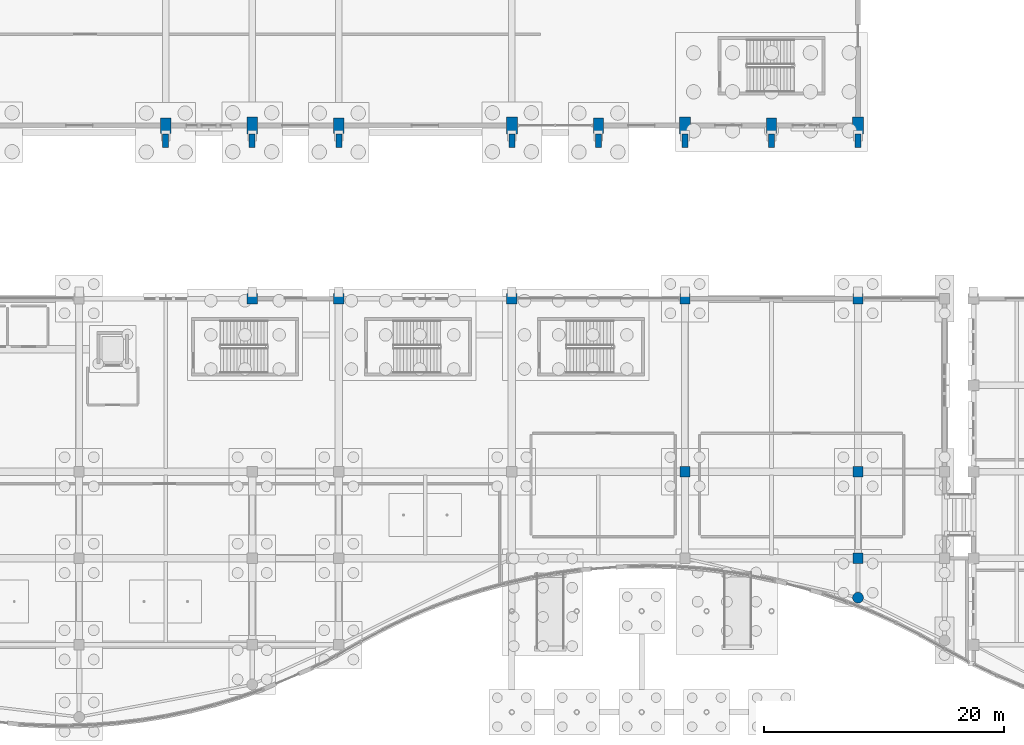
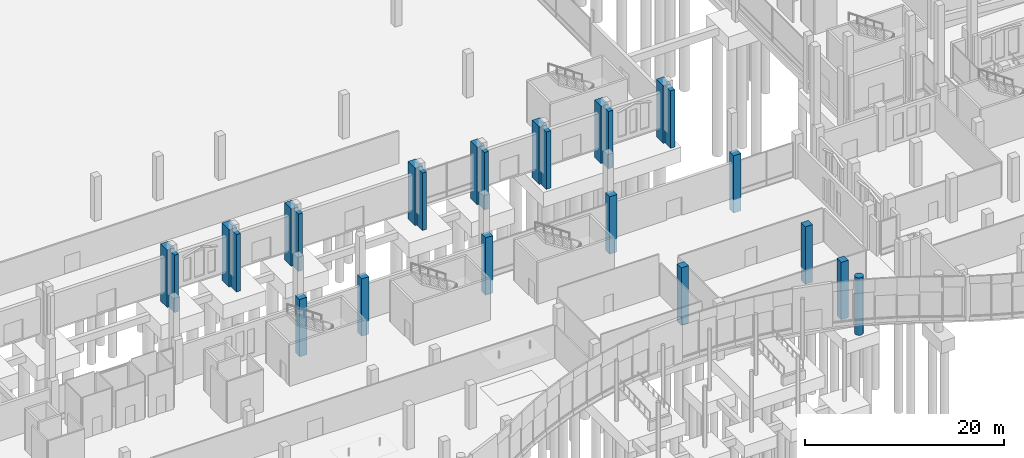
# One storey, part 10 of 192: 25 columns.
"""IFC4 building model written with IfcOpenShell, lengths in metres."""

from ifc_helpers import new_model, si_unit, direction, frame, origin, origin_2d, place, context, subcontext, project, spatial, rectangle, circle, extrude, material, material_profile, profile_set, type_object, element, save


model = new_model("IFC4")

# Units and contexts
model_context = context("Model", 3, precision=1e-05, world=origin(), true_north=direction((0.0, 1.0)))
body_context = subcontext(model_context, "Body", "Model", "MODEL_VIEW")
ifc_project = project(units=[si_unit("LENGTHUNIT", "METRE"), si_unit("AREAUNIT", "SQUARE_METRE"), si_unit("VOLUMEUNIT", "CUBIC_METRE"), si_unit("PLANEANGLEUNIT", "RADIAN"), si_unit("MASSUNIT", "GRAM", prefix="KILO")], contexts=[model_context])

# Site, building, storey
site_placement = place(None, origin())
site = spatial("IfcSite", under=ifc_project, at=site_placement, CompositionType="ELEMENT")
building_placement = place(site_placement, origin())
building = spatial("IfcBuilding", under=site, at=building_placement, Name="Cendralis Lancet Convention Centre", CompositionType="ELEMENT")
storey_placement = place(building_placement, origin())
storey = spatial("IfcBuildingStorey", under=building, at=storey_placement, Name="L00", CompositionType="ELEMENT", Elevation=0.0)

# Columns
ifc_material = material(Name="Concrete G40 (C40/50)", Category="concrete")
ifc_material_profile_1 = material_profile(ifc_material, rectangle(XDim=0.85009765625, YDim=0.85009765625, at=origin_2d()), Name="RC 850x850")
ifc_profile_set_1 = profile_set([ifc_material_profile_1], Name="Concrete G40 (C40/50)")
column_type_1 = type_object("IfcColumnType", Name="STR-COL-C04", PredefinedType="COLUMN", material=ifc_profile_set_1)
for number, where, z_axis, x_axis, name in (
    (1, (72.0, 36.0, -1.64990234375), (0.0, 0.0, 1.0), (1.0, 0.0, 0.0), "L00 Column C04 at 72.0,36.0"),
    (2, (79.199951171875, 36.0, -1.64990234375), (0.0, 0.0, 1.0), (1.0, 0.0, 0.0), "L00 Column C04 at 79.2,36.0"),
    (3, (93.60009765625, 36.0, -1.64990234375), (0.0, 0.0, 1.0), (1.0, 0.0, 0.0), "L00 Column C04 at 93.6,36.0"),
    (4, (108.0, 36.0, -1.64990234375), (0.0, 0.0, 1.0), (1.0, 0.0, 0.0), "L00 Column C04 at 108.0,36.0"),
    (5, (122.39990234375, 36.0, -1.64990234375), (0.0, 0.0, 1.0), (1.0, 0.0, 0.0), "L00 Column C04 at 122.4,36.0"),
):
    element("IfcColumn", number, at=place(storey_placement, frame(where, z_axis=z_axis, x_axis=x_axis)), inside=storey, type_object=column_type_1, Name=name, PredefinedType="COLUMN", context=body_context, shape_type="SweptSolid", body=[
        extrude(rectangle(XDim=0.85009765625, YDim=0.85009765625, at=origin_2d()), origin(), (0.0, 0.0, 1.0), 7.0498046875),
    ])
ifc_material_profile_2 = material_profile(ifc_material, rectangle(XDim=0.85009765625, YDim=0.85009765625, at=origin_2d()), Name="RC 850x850")
ifc_profile_set_2 = profile_set([ifc_material_profile_2], Name="Concrete G40 (C40/50)")
column_type_2 = type_object("IfcColumnType", Name="STR-COL-C04-INT", PredefinedType="COLUMN", material=ifc_profile_set_2)
for number, where, z_axis, x_axis, name in (
    (6, (108.0, 21.60009765625, -1.64990234375), (0.0, 0.0, 1.0), (1.0, 0.0, 0.0), "L00 Column C04 at 108.0,21.6"),
    (7, (122.39990234375, 14.39990234375, -1.64990234375), (0.0, 0.0, 1.0), (1.0, 0.0, 0.0), "L00 Column C04 at 122.4,14.4"),
    (8, (122.39990234375, 21.60009765625, -1.64990234375), (0.0, 0.0, 1.0), (1.0, 0.0, 0.0), "L00 Column C04 at 122.4,21.6"),
):
    element("IfcColumn", number, at=place(storey_placement, frame(where, z_axis=z_axis, x_axis=x_axis)), inside=storey, type_object=column_type_2, Name=name, PredefinedType="COLUMN", context=body_context, shape_type="SweptSolid", body=[
        extrude(rectangle(XDim=0.85009765625, YDim=0.85009765625, at=origin_2d()), origin(), (0.0, 0.0, 1.0), 7.0498046875),
    ])
ifc_material_profile_3 = material_profile(ifc_material, rectangle(XDim=0.89990234375, YDim=1.39990234375, at=origin_2d()), Name="RC 900x1400")
ifc_profile_set_3 = profile_set([ifc_material_profile_3], Name="Concrete G40 (C40/50)")
column_type_3 = type_object("IfcColumnType", Name="STR-COL-C13", PredefinedType="COLUMN", material=ifc_profile_set_3)
for number, where, z_axis, x_axis, name in (
    (9, (72.0, 50.39990234375, -1.64990234375), (0.0, 0.0, 1.0), (1.0, 0.0, 0.0), "L00 Column C13 at 72.0,50.4"),
    (10, (93.60009765625, 50.39990234375, -1.64990234375), (0.0, 0.0, 1.0), (1.0, 0.0, 0.0), "L00 Column C13 at 93.6,50.4"),
    (11, (108.0, 50.39990234375, -1.64990234375), (0.0, 0.0, 1.0), (1.0, 0.0, 0.0), "L00 Column C13 at 108.0,50.4"),
    (12, (122.39990234375, 50.39990234375, -1.64990234375), (0.0, 0.0, 1.0), (1.0, 0.0, 0.0), "L00 Column C13 at 122.4,50.4"),
):
    element("IfcColumn", number, at=place(storey_placement, frame(where, z_axis=z_axis, x_axis=x_axis)), inside=storey, type_object=column_type_3, Name=name, PredefinedType="COLUMN", context=body_context, shape_type="SweptSolid", body=[
        extrude(rectangle(XDim=0.89990234375, YDim=1.39990234375, at=origin_2d()), origin(), (0.0, 0.0, 1.0), 7.0498046875),
    ])
ifc_material_profile_4 = material_profile(ifc_material, rectangle(XDim=0.85009765625, YDim=1.300048828125, at=origin_2d()), Name="RC 850x1300")
ifc_profile_set_4 = profile_set([ifc_material_profile_4], Name="Concrete G40 (C40/50)")
column_type_4 = type_object("IfcColumnType", Name="STR-COL-C14", PredefinedType="COLUMN", material=ifc_profile_set_4)
for number, where, z_axis, x_axis, name in (
    (13, (64.800048828125, 50.39990234375, -1.64990234375), (0.0, 0.0, 1.0), (1.0, 0.0, 0.0), "L00 Column C14 at 64.8,50.4"),
    (14, (79.199951171875, 50.39990234375, -1.64990234375), (0.0, 0.0, 1.0), (1.0, 0.0, 0.0), "L00 Column C14 at 79.2,50.4"),
    (15, (100.800048828125, 50.39990234375, -1.64990234375), (0.0, 0.0, 1.0), (1.0, 0.0, 0.0), "L00 Column C14 at 100.8,50.4"),
    (16, (115.199951171875, 50.39990234375, -1.64990234375), (0.0, 0.0, 1.0), (1.0, 0.0, 0.0), "L00 Column C14 at 115.2,50.4"),
):
    element("IfcColumn", number, at=place(storey_placement, frame(where, z_axis=z_axis, x_axis=x_axis)), inside=storey, type_object=column_type_4, Name=name, PredefinedType="COLUMN", context=body_context, shape_type="SweptSolid", body=[
        extrude(rectangle(XDim=0.85009765625, YDim=1.300048828125, at=origin_2d()), origin(), (0.0, 0.0, 1.0), 7.0498046875),
    ])
ifc_material_profile_5 = material_profile(ifc_material, circle(Radius=0.449951171875, at=origin_2d()), Name="RC D900")
ifc_profile_set_5 = profile_set([ifc_material_profile_5], Name="Concrete G40 (C40/50)")
column_type_5 = type_object("IfcColumnType", Name="STR-COL-C16", PredefinedType="COLUMN", material=ifc_profile_set_5)
column_placement = place(storey_placement, frame((122.39990234375, 11.126953125, -1.64990234375), z_axis=(0.0, 0.0, 1.0), x_axis=(1.0, 0.0, 0.0)))
element("IfcColumn", 17, at=column_placement, inside=storey, type_object=column_type_5, Name="L00 Column C16 at 122.4,11.1", PredefinedType="COLUMN", context=body_context, shape_type="SweptSolid", body=[
    extrude(circle(Radius=0.449951171875, at=origin_2d()), origin(), (0.0, 0.0, 1.0), 7.0498046875),
])
ifc_material_profile_6 = material_profile(ifc_material, rectangle(XDim=0.5, YDim=1.10009765625, at=origin_2d()), Name="RC 500x1100")
ifc_profile_set_6 = profile_set([ifc_material_profile_6], Name="Concrete G40 (C40/50)")
column_type_6 = type_object("IfcColumnType", Name="STR-PIL-PL01", PredefinedType="PILASTER", material=ifc_profile_set_6)
for number, where, z_axis, x_axis, name in (
    (18, (64.800048828125, 49.139892578125, -1.64990234375), (0.0, 0.0, 1.0), (1.0, 0.0, 0.0), "L00 Column PL01 at 64.8,49.1"),
    (19, (72.0, 49.139892578125, -1.64990234375), (0.0, 0.0, 1.0), (1.0, 0.0, 0.0), "L00 Column PL01 at 72.0,49.1"),
    (20, (79.199951171875, 49.139892578125, -1.64990234375), (0.0, 0.0, 1.0), (1.0, 0.0, 0.0), "L00 Column PL01 at 79.2,49.1"),
    (21, (93.60009765625, 49.139892578125, -1.64990234375), (0.0, 0.0, 1.0), (1.0, 0.0, 0.0), "L00 Column PL01 at 93.6,49.1"),
    (22, (100.800048828125, 49.139892578125, -1.64990234375), (0.0, 0.0, 1.0), (1.0, 0.0, 0.0), "L00 Column PL01 at 100.8,49.1"),
    (23, (108.0, 49.139892578125, -1.64990234375), (0.0, 0.0, 1.0), (1.0, 0.0, 0.0), "L00 Column PL01 at 108.0,49.1"),
    (24, (115.199951171875, 49.139892578125, -1.64990234375), (0.0, 0.0, 1.0), (1.0, 0.0, 0.0), "L00 Column PL01 at 115.2,49.1"),
    (25, (122.39990234375, 49.139892578125, -1.64990234375), (0.0, 0.0, 1.0), (1.0, 0.0, 0.0), "L00 Column PL01 at 122.4,49.1"),
):
    element("IfcColumn", number, at=place(storey_placement, frame(where, z_axis=z_axis, x_axis=x_axis)), inside=storey, type_object=column_type_6, Name=name, PredefinedType="PILASTER", context=body_context, shape_type="SweptSolid", body=[
        extrude(rectangle(XDim=0.5, YDim=1.10009765625, at=origin_2d()), origin(), (0.0, 0.0, 1.0), 7.0498046875),
    ])

save(model, "model.ifc")
